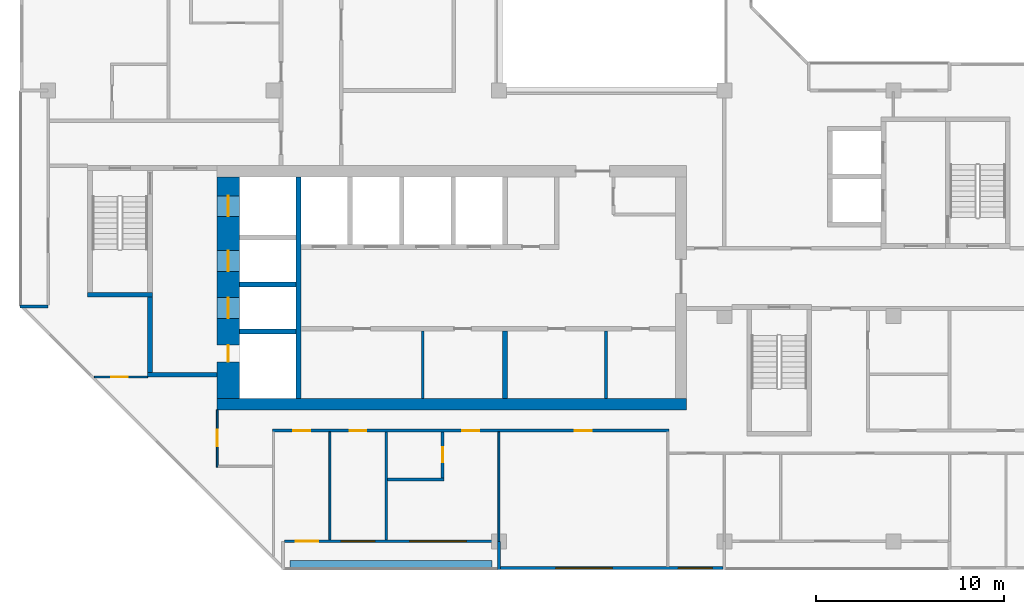
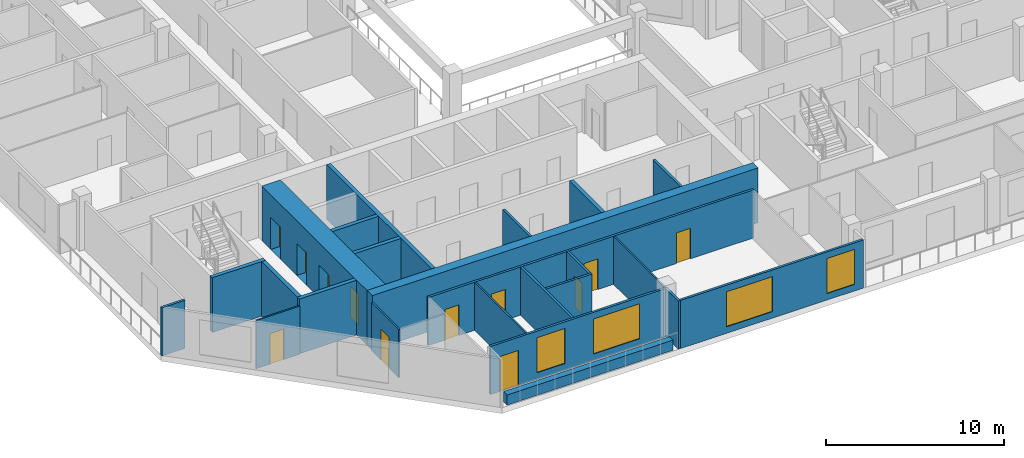
# One storey, part 4 of 13: 24 walls, 12 doors, 4 windows, 16 openings.
"""IFC4 building model written with IfcOpenShell, lengths in metres."""

import ifcopenshell
import ifcopenshell.guid

model = None  # the IFC model being written
_history = None  # IfcOwnerHistory: only IFC2X3 demands one
_inside = {}  # id of a spatial element -> (the spatial element, [elements in it])
_under = {}  # id of a project, library or spatial element -> (it, [spatial elements below it])
_declared = {}  # id of a project -> (the project, [libraries it declares])
_typed = {}  # id of a type object -> (the type object, [elements of that type])
_made_of = {}  # id of a material, layer set ... -> (it, [elements and type objects made of it])


def new_model(schema):
    """Start an empty IFC model of exactly this schema.

    Asked for "IFC4X3", IfcOpenShell would pick the latest addendum, in which some entities
    have other attributes; the version numbers below select the first issue.
    IFC2X3 requires an IfcOwnerHistory on every rooted entity: one is made here for all.
    """
    global model, _history
    if schema == "IFC4X3":
        model = ifcopenshell.file(schema_version=(4, 3, 0, 0))
    else:
        model = ifcopenshell.file(schema=schema)
    _inside.clear()
    _under.clear()
    _declared.clear()
    _typed.clear()
    _made_of.clear()
    _history = None
    if model.schema == "IFC2X3":
        org = make("IfcOrganization", Name="unknown")
        user = make(
            "IfcPersonAndOrganization",
            ThePerson=make("IfcPerson", FamilyName="unknown"),
            TheOrganization=org,
        )
        app = make(
            "IfcApplication",
            ApplicationDeveloper=org,
            Version="unknown",
            ApplicationFullName="unknown",
            ApplicationIdentifier="unknown",
        )
        _history = make(
            "IfcOwnerHistory",
            OwningUser=user,
            OwningApplication=app,
            ChangeAction="ADDED",
            CreationDate=0,
        )
    return model


def make(cls, **values):
    """One entity of the class cls with the attributes given. An attribute that is None is left unset."""
    return model.create_entity(
        cls, **{name: value for name, value in values.items() if value is not None}
    )


def rooted(cls, **values):
    """An entity with a GlobalId (a new one), such as an element, a storey or a relation."""
    return make(cls, GlobalId=ifcopenshell.guid.new(), OwnerHistory=_history, **values)


def si_unit(unit_type, name, prefix=None):
    """IfcSIUnit, for example si_unit("LENGTHUNIT", "METRE", prefix="MILLI")."""
    return make("IfcSIUnit", UnitType=unit_type, Prefix=prefix, Name=name)


def assignment(units):
    """IfcUnitAssignment: the units of a project."""
    return None if units is None else make("IfcUnitAssignment", Units=units)


def point(xyz):
    """IfcCartesianPoint."""
    return None if xyz is None else make("IfcCartesianPoint", Coordinates=xyz)


def direction(xyz):
    """IfcDirection."""
    return None if xyz is None else make("IfcDirection", DirectionRatios=xyz)


def frame(location, z_axis=None, x_axis=None):
    """IfcAxis2Placement3D, a coordinate frame: its origin and axes. An axis left out is left unset."""
    return make(
        "IfcAxis2Placement3D",
        Location=point(location),
        Axis=direction(z_axis),
        RefDirection=direction(x_axis),
    )


def frame_2d(location, x_axis=None):
    """IfcAxis2Placement2D, a coordinate frame in the plane: its origin and x axis."""
    return make(
        "IfcAxis2Placement2D", Location=point(location), RefDirection=direction(x_axis)
    )


def origin():
    """The frame at (0, 0, 0) with its axes left unset."""
    return frame((0.0, 0.0, 0.0))


def place(relative_to, where):
    """IfcLocalPlacement: puts the frame where relative to a parent placement (None: the world)."""
    return make(
        "IfcLocalPlacement", PlacementRelTo=relative_to, RelativePlacement=where
    )


def context(
    kind, dimensions, precision=None, world=None, true_north=None, identifier=None
):
    """IfcGeometricRepresentationContext, for example the 3D "Model" context."""
    return make(
        "IfcGeometricRepresentationContext",
        ContextIdentifier=identifier,
        ContextType=kind,
        CoordinateSpaceDimension=dimensions,
        Precision=precision,
        WorldCoordinateSystem=world,
        TrueNorth=true_north,
    )


def subcontext(parent, identifier, kind, view, scale=None):
    """IfcGeometricRepresentationSubContext, for example "Body" below "Model"."""
    return make(
        "IfcGeometricRepresentationSubContext",
        ContextIdentifier=identifier,
        ContextType=kind,
        ParentContext=parent,
        TargetScale=scale,
        TargetView=view,
    )


def project(units=None, contexts=None):
    """IfcProject with its units and contexts."""
    return rooted(
        "IfcProject",
        Name="project",
        RepresentationContexts=contexts,
        UnitsInContext=assignment(units),
    )


def spatial(cls, under=None, at=None, **own):
    """A site, building, storey or space (cls), placed at a placement, below another one or the project."""
    s = rooted(cls, ObjectPlacement=at, **own)
    if under is not None:
        _under.setdefault(under.id(), (under, []))[1].append(s)
    return s


def profile(cls, at=None, kind="AREA", **sizes):
    """A parametric profile (cls). Its sizes go by their IFC names, for example OverallWidth=200.0."""
    return make(cls, ProfileType=kind, Position=at, **sizes)


def rectangle(**sizes):
    """IfcRectangleProfileDef."""
    return profile("IfcRectangleProfileDef", **sizes)


def extrude(swept, where, along, depth):
    """IfcExtrudedAreaSolid: the profile swept, set in the frame where, extruded along a direction by depth."""
    return make(
        "IfcExtrudedAreaSolid",
        SweptArea=swept,
        Position=where,
        ExtrudedDirection=direction(along),
        Depth=depth,
    )


def shape(context_of_items, identifier, shape_type, items):
    """IfcShapeRepresentation: the items that make up one representation, for example the "Body"."""
    return make(
        "IfcShapeRepresentation",
        ContextOfItems=context_of_items,
        RepresentationIdentifier=identifier,
        RepresentationType=shape_type,
        Items=items,
    )


def material(Name=None, Category=None):
    """IfcMaterial."""
    return make("IfcMaterial", Name=Name, Category=Category)


def layer(
    of_material, thickness, ventilated=None, Name=None, Category=None, Priority=None
):
    """IfcMaterialLayer: one layer of a wall or slab, of a material (None: an air gap)."""
    return make(
        "IfcMaterialLayer",
        Material=of_material,
        LayerThickness=thickness,
        IsVentilated=ventilated,
        Name=Name,
        Category=Category,
        Priority=Priority,
    )


def layer_set(layers, Name=None):
    """IfcMaterialLayerSet."""
    return make("IfcMaterialLayerSet", MaterialLayers=layers, LayerSetName=Name)


def made_of(thing, what):
    """Note that an element or type object is made of a material, layer set ...; save() writes the relation."""
    if what is not None:
        _made_of.setdefault(what.id(), (what, []))[1].append(thing)
    return thing


def type_object(cls, material=None, **own):
    """A type object (cls), such as IfcWallType, which elements share."""
    return made_of(rooted(cls, **own), material)


def element(
    cls,
    number,
    at=None,
    inside=None,
    cuts=None,
    type_object=None,
    material=None,
    context=None,
    identifier="Body",
    shape_type=None,
    held_by="IfcProductDefinitionShape",
    body=None,
    shapes=None,
    **own,
):
    """One element of the class cls, such as IfcWall. Its Tag is "e" and its number.

    at: its placement. inside: the storey or other place that contains it. cuts: it is an
    opening in that element (IfcRelVoidsElement). A single representation is given by context,
    identifier, shape_type and body (its items); several are given by shapes. held_by: the class
    of the entity that holds the representations. save() writes the other relations.
    """
    e = rooted(cls, Tag="e%d" % number, ObjectPlacement=at, **own)
    if body is not None:
        shapes = [shape(context, identifier, shape_type, body)]
    if shapes is not None:
        e.Representation = make(held_by, Representations=shapes)
    if inside is not None:
        _inside.setdefault(inside.id(), (inside, []))[1].append(e)
    if cuts is not None:
        rooted(
            "IfcRelVoidsElement", RelatingBuildingElement=cuts, RelatedOpeningElement=e
        )
    if type_object is not None:
        _typed.setdefault(type_object.id(), (type_object, []))[1].append(e)
    return made_of(e, material)


def fill(opening, filler):
    """IfcRelFillsElement: the door or window that sits in an opening."""
    return rooted(
        "IfcRelFillsElement",
        RelatingOpeningElement=opening,
        RelatedBuildingElement=filler,
    )


def aggregate(whole, parts):
    """IfcRelAggregates: a whole, such as a stair, and the parts it consists of."""
    return rooted("IfcRelAggregates", RelatingObject=whole, RelatedObjects=parts)


def save(model, path):
    """Write the relations noted so far, then the file.

    IfcRelAggregates (storeys below a building ...), IfcRelContainedInSpatialStructure (elements
    in a storey), IfcRelDefinesByType, IfcRelAssociatesMaterial and IfcRelDeclares: one each for
    every whole, place, type object, material and project.
    """
    for whole, parts in _under.values():
        aggregate(whole, parts)
    for where, things in _inside.values():
        rooted(
            "IfcRelContainedInSpatialStructure",
            RelatedElements=things,
            RelatingStructure=where,
        )
    for kind, things in _typed.values():
        rooted("IfcRelDefinesByType", RelatedObjects=things, RelatingType=kind)
    for what, things in _made_of.values():
        rooted("IfcRelAssociatesMaterial", RelatedObjects=things, RelatingMaterial=what)
    for by, libraries in _declared.values():
        rooted("IfcRelDeclares", RelatingContext=by, RelatedDefinitions=libraries)
    model.write(path)


model = new_model("IFC4")

# Units and contexts
model_context = context("Model", 3, precision=1e-05, world=origin(), true_north=direction((0.0, 1.0)))
body_context = subcontext(model_context, "Body", "Model", "MODEL_VIEW")
ifc_project = project(units=[si_unit("LENGTHUNIT", "METRE"), si_unit("AREAUNIT", "SQUARE_METRE"), si_unit("VOLUMEUNIT", "CUBIC_METRE"), si_unit("PLANEANGLEUNIT", "RADIAN"), si_unit("MASSUNIT", "GRAM", prefix="KILO")], contexts=[model_context])

# Site, building, storey
site_placement = place(None, origin())
site = spatial("IfcSite", under=ifc_project, at=site_placement, CompositionType="ELEMENT")
building_placement = place(site_placement, origin())
building = spatial("IfcBuilding", under=site, at=building_placement, Name="Chenar Terraces", CompositionType="ELEMENT")
storey_placement = place(building_placement, frame((0.0, 0.0, 318.39990234375)))
storey = spatial("IfcBuildingStorey", under=building, at=storey_placement, Name="L75", CompositionType="ELEMENT", Elevation=318.39990234375)

# Walls
ifc_material_1 = material(Name="Gypsum board on steel studs", Category="steel")
ifc_layer_1 = layer(ifc_material_1, 0.14990234375)
ifc_layer_set_1 = layer_set([ifc_layer_1], Name="Gypsum board on steel studs")
wall_type_1 = type_object("IfcWallType", Name="Core partition 150 gypsum board", PredefinedType="PARTITIONING", material=ifc_layer_set_1)
for number, where, z_axis, x_axis, name in (
    (1, (19.949951171875, 7.60009765625, 0.0), (0.0, 0.0, 1.0), (0.0, 1.0, 0.0), "Core partition CP1 freed bay wall"),
    (2, (29.699951171875, 7.60009765625, 0.0), (0.0, 0.0, 1.0), (0.0, 1.0, 0.0), "Core partition CP1 freed bay wall"),
):
    element("IfcWall", number, at=place(storey_placement, frame(where, z_axis=z_axis, x_axis=x_axis)), inside=storey, type_object=wall_type_1, Name=name, PredefinedType="PARTITIONING", context=body_context, shape_type="SweptSolid", body=[
        extrude(rectangle(XDim=3.599853515625, YDim=0.14990234375, at=frame_2d((1.7998046875, 0.0))), origin(), (0.0, 0.0, 1.0), 3.300048828125),
    ])

# Wall, openings, doors
ifc_material_2 = material(Name="Concrete C50/60", Category="concrete")
ifc_layer_2 = layer(ifc_material_2, 1.199951171875)
ifc_layer_set_2 = layer_set([ifc_layer_2], Name="Concrete C50/60")
wall_type_2 = type_object("IfcWallType", Name="Core wall 1200 Concrete C50/60", PredefinedType="SHEAR", material=ifc_layer_set_2)
wall_1_placement = place(storey_placement, frame((9.60009765625, 7.60009765625, 0.0), z_axis=(0.0, 0.0, 1.0), x_axis=(0.0, 1.0, 0.0)))
wall_1 = element("IfcWall", 3, at=wall_1_placement, inside=storey, type_object=wall_type_2, Name="Core wall W L75", PredefinedType="SHEAR", context=body_context, shape_type="SweptSolid", body=[
    extrude(rectangle(XDim=11.7998046875, YDim=1.199951171875, at=frame_2d((5.89990234375, 0.0))), origin(), (0.0, 0.0, 1.0), 3.75),
])
opening_1_placement = place(wall_1_placement, frame((4.27490234375, 0.0, 0.0)))
opening_1 = element("IfcOpeningElement", 4, at=opening_1_placement, cuts=wall_1, Name="Opening DL75-LD5", PredefinedType="OPENING", context=body_context, shape_type="SweptSolid", body=[
    extrude(rectangle(XDim=1.10009765625, YDim=2.199951171875, at=frame_2d((0.550048828125, 1.10009765625))), frame((0.0, 0.60986328125, 0.0), z_axis=(0.0, -1.0, 0.0), x_axis=(1.0, 0.0, 0.0)), (0.0, 0.0, 1.0), 1.219970703125),
])
opening_2_placement = place(wall_1_placement, frame((6.77490234375, 0.0, 0.0)))
opening_2 = element("IfcOpeningElement", 5, at=opening_2_placement, cuts=wall_1, Name="Opening DL75-LD6", PredefinedType="OPENING", context=body_context, shape_type="SweptSolid", body=[
    extrude(rectangle(XDim=1.10009765625, YDim=2.199951171875, at=frame_2d((0.550048828125, 1.10009765625))), frame((0.0, 0.60986328125, 0.0), z_axis=(0.0, -1.0, 0.0), x_axis=(1.0, 0.0, 0.0)), (0.0, 0.0, 1.0), 1.219970703125),
])
opening_3_placement = place(wall_1_placement, frame((9.699951171875, 0.0, 0.0)))
opening_3 = element("IfcOpeningElement", 6, at=opening_3_placement, cuts=wall_1, Name="Opening DL75-LD7", PredefinedType="OPENING", context=body_context, shape_type="SweptSolid", body=[
    extrude(rectangle(XDim=1.10009765625, YDim=2.199951171875, at=frame_2d((0.550048828125, 1.10009765625))), frame((0.0, 0.60986328125, 0.0), z_axis=(0.0, -1.0, 0.0), x_axis=(1.0, 0.0, 0.0)), (0.0, 0.0, 1.0), 1.219970703125),
])
opening_4_placement = place(wall_1_placement, frame((1.949951171875, 0.0, 0.0)))
opening_4 = element("IfcOpeningElement", 7, at=opening_4_placement, cuts=wall_1, Name="Opening DL75-C4", PredefinedType="OPENING", context=body_context, shape_type="SweptSolid", body=[
    extrude(rectangle(XDim=0.89990234375, YDim=2.10009765625, at=frame_2d((0.449951171875, 1.050048828125))), frame((0.0, 0.60986328125, 0.0), z_axis=(0.0, -1.0, 0.0), x_axis=(1.0, 0.0, 0.0)), (0.0, 0.0, 1.0), 1.219970703125),
])
ifc_material_3 = material(Name="Stainless steel", Category="steel")
door_type_1 = type_object("IfcDoorType", Name="Lift landing door 1100 x 2200 sliding", OperationType="DOUBLE_DOOR_SLIDING", PredefinedType="DOOR", material=ifc_material_3)
door_1_placement = place(opening_1_placement, origin())
door_1 = element("IfcDoor", 8, at=door_1_placement, inside=storey, type_object=door_type_1, Name="Landing door S1", OperationType="DOUBLE_DOOR_SLIDING", OverallHeight=2.199951171875, OverallWidth=1.10009765625, PredefinedType="DOOR", context=body_context, shape_type="SweptSolid", body=[
    extrude(rectangle(XDim=1.10009765625, YDim=2.199951171875, at=frame_2d((0.550048828125, 1.10009765625))), frame((0.0, 0.02490234375, 0.0), z_axis=(0.0, -1.0, 0.0), x_axis=(1.0, 0.0, 0.0)), (0.0, 0.0, 1.0), 0.050048828125),
])
fill(opening_1, door_1)
door_2_placement = place(opening_2_placement, origin())
door_2 = element("IfcDoor", 9, at=door_2_placement, inside=storey, type_object=door_type_1, Name="Landing door F1", OperationType="DOUBLE_DOOR_SLIDING", OverallHeight=2.199951171875, OverallWidth=1.10009765625, PredefinedType="DOOR", context=body_context, shape_type="SweptSolid", body=[
    extrude(rectangle(XDim=1.10009765625, YDim=2.199951171875, at=frame_2d((0.550048828125, 1.10009765625))), frame((0.0, 0.02490234375, 0.0), z_axis=(0.0, -1.0, 0.0), x_axis=(1.0, 0.0, 0.0)), (0.0, 0.0, 1.0), 0.050048828125),
])
fill(opening_2, door_2)
door_3_placement = place(opening_3_placement, origin())
door_3 = element("IfcDoor", 10, at=door_3_placement, inside=storey, type_object=door_type_1, Name="Landing door F2", OperationType="DOUBLE_DOOR_SLIDING", OverallHeight=2.199951171875, OverallWidth=1.10009765625, PredefinedType="DOOR", context=body_context, shape_type="SweptSolid", body=[
    extrude(rectangle(XDim=1.10009765625, YDim=2.199951171875, at=frame_2d((0.550048828125, 1.10009765625))), frame((0.0, 0.02490234375, 0.0), z_axis=(0.0, -1.0, 0.0), x_axis=(1.0, 0.0, 0.0)), (0.0, 0.0, 1.0), 0.050048828125),
])
fill(opening_3, door_3)
ifc_material_4 = material(Name="Steel-framed fire-resisting door leaf", Category="steel")
door_type_2 = type_object("IfcDoorType", Name="Riser fire door FD60 900 x 2100", OperationType="SINGLE_SWING_LEFT", PredefinedType="DOOR", material=ifc_material_4)
door_4_placement = place(opening_4_placement, frame((0.89990234375, 0.0, 0.0), z_axis=(0.0, 0.0, 1.0), x_axis=(-1.0, 0.0, 0.0)))
door_4 = element("IfcDoor", 11, at=door_4_placement, inside=storey, type_object=door_type_2, Name="Riser door DL75-C4", OperationType="SINGLE_SWING_LEFT", OverallHeight=2.10009765625, OverallWidth=0.89990234375, PredefinedType="DOOR", context=body_context, shape_type="SweptSolid", body=[
    extrude(rectangle(XDim=0.89990234375, YDim=2.10009765625, at=frame_2d((0.449951171875, 1.050048828125))), frame((0.0, 0.02490234375, 0.0), z_axis=(0.0, -1.0, 0.0), x_axis=(1.0, 0.0, 0.0)), (0.0, 0.0, 1.0), 0.050048828125),
])
fill(opening_4, door_4)

# Walls
ifc_material_5 = material(Name="Concrete C50/60", Category="concrete")
ifc_layer_3 = layer(ifc_material_5, 0.25)
ifc_layer_set_3 = layer_set([ifc_layer_3], Name="Concrete C50/60")
wall_type_3 = type_object("IfcWallType", Name="Core wall 250 Concrete C50/60", PredefinedType="SHEAR", material=ifc_layer_set_3)
wall_2_placement = place(storey_placement, frame((13.324951171875, 7.60009765625, 0.0), z_axis=(0.0, 0.0, 1.0), x_axis=(0.0, 1.0, 0.0)))
element("IfcWall", 12, at=wall_2_placement, inside=storey, type_object=wall_type_3, Name="Core wall WI L75", PredefinedType="SHEAR", context=body_context, shape_type="SweptSolid", body=[
    extrude(rectangle(XDim=11.7998046875, YDim=0.25, at=frame_2d((5.89990234375, 0.0))), origin(), (0.0, 0.0, 1.0), 3.75),
])
for number, where, z_axis, x_axis, name in (
    (13, (10.199951171875, 11.175048828125, 0.0), (0.0, 0.0, 1.0), (1.0, 0.0, 0.0), "Core wall HW0 L75"),
    (14, (10.199951171875, 13.675048828125, 0.0), (0.0, 0.0, 1.0), (1.0, 0.0, 0.0), "Core wall HW1 L75"),
):
    element("IfcWall", number, at=place(storey_placement, frame(where, z_axis=z_axis, x_axis=x_axis)), inside=storey, type_object=wall_type_3, Name=name, PredefinedType="SHEAR", context=body_context, shape_type="SweptSolid", body=[
        extrude(rectangle(XDim=3.0, YDim=0.25, at=frame_2d((1.5, 0.0))), origin(), (0.0, 0.0, 1.0), 3.75),
    ])
wall_3_placement = place(storey_placement, frame((24.324951171875, 7.60009765625, 0.0), z_axis=(0.0, 0.0, 1.0), x_axis=(0.0, 1.0, 0.0)))
element("IfcWall", 15, at=wall_3_placement, inside=storey, type_object=wall_type_3, Name="Core wall SS3 L75", PredefinedType="SHEAR", context=body_context, shape_type="SweptSolid", body=[
    extrude(rectangle(XDim=3.599853515625, YDim=0.25, at=frame_2d((1.7998046875, 0.0))), origin(), (0.0, 0.0, 1.0), 3.75),
])
wall_4_placement = place(storey_placement, frame((2.10009765625, 13.125, 0.0), z_axis=(0.0, 0.0, 1.0), x_axis=(1.0, 0.0, 0.0)))
element("IfcWall", 16, at=wall_4_placement, inside=storey, type_object=wall_type_3, Name="Core wall ST1_S L75", PredefinedType="SHEAR", context=body_context, shape_type="SweptSolid", body=[
    extrude(rectangle(XDim=3.449951171875, YDim=0.25, at=frame_2d((1.72509765625, 0.0))), origin(), (0.0, 0.0, 1.0), 3.75),
])
wall_5_placement = place(storey_placement, frame((5.300048828125, 8.875, 0.0), z_axis=(0.0, 0.0, 1.0), x_axis=(1.0, 0.0, 0.0)))
element("IfcWall", 17, at=wall_5_placement, inside=storey, type_object=wall_type_3, Name="Core wall FFL_S L75", PredefinedType="SHEAR", context=body_context, shape_type="SweptSolid", body=[
    extrude(rectangle(XDim=3.699951171875, YDim=0.25, at=frame_2d((1.85009765625, 0.0))), origin(), (0.0, 0.0, 1.0), 3.75),
])
wall_6_placement = place(storey_placement, frame((5.425048828125, 9.0, 0.0), z_axis=(0.0, 0.0, 1.0), x_axis=(0.0, 1.0, 0.0)))
element("IfcWall", 18, at=wall_6_placement, inside=storey, type_object=wall_type_3, Name="Core wall FFL_W L75", PredefinedType="SHEAR", context=body_context, shape_type="SweptSolid", body=[
    extrude(rectangle(XDim=4.0, YDim=0.25, at=frame_2d((2.0, 0.0))), origin(), (0.0, 0.0, 1.0), 3.75),
])
ifc_material_6 = material(Name="Concrete C50/60", Category="concrete")
ifc_layer_4 = layer(ifc_material_6, 0.60009765625)
ifc_layer_set_4 = layer_set([ifc_layer_4], Name="Concrete C50/60")
wall_type_4 = type_object("IfcWallType", Name="Core wall 600 Concrete C50/60", PredefinedType="SHEAR", material=ifc_layer_set_4)
wall_7_placement = place(storey_placement, frame((9.0, 7.300048828125, 0.0), z_axis=(0.0, 0.0, 1.0), x_axis=(1.0, 0.0, 0.0)))
element("IfcWall", 19, at=wall_7_placement, inside=storey, type_object=wall_type_4, Name="Core wall S L75", PredefinedType="SHEAR", context=body_context, shape_type="SweptSolid", body=[
    extrude(rectangle(XDim=25.0, YDim=0.60009765625, at=frame_2d((12.5, 0.0))), origin(), (0.0, 0.0, 1.0), 3.75),
])

# Wall, openings, windows
ifc_material_7 = material(Name="Aluminium framed glazing", Category="aluminium")
ifc_layer_5 = layer(ifc_material_7, 0.14990234375)
ifc_layer_set_5 = layer_set([ifc_layer_5], Name="Aluminium framed glazing")
wall_type_5 = type_object("IfcWallType", Name="Glazed flush facade wall 150", PredefinedType="SOLIDWALL", material=ifc_layer_set_5)
wall_8_placement = place(storey_placement, frame((24.074951171875, -1.425048828125, 0.0), z_axis=(0.0, 0.0, 1.0), x_axis=(1.0, 0.0, 0.0)))
wall_8 = element("IfcWall", 20, at=wall_8_placement, inside=storey, type_object=wall_type_5, Name="Glazed flush facade wall", PredefinedType="SOLIDWALL", context=body_context, shape_type="SweptSolid", body=[
    extrude(rectangle(XDim=11.85009765625, YDim=0.14990234375, at=frame_2d((5.925048828125, 0.0))), origin(), (0.0, 0.0, 1.0), 3.300048828125),
])
opening_5_placement = place(wall_8_placement, frame((2.96240234375, 0.0, 0.449951171875)))
opening_5 = element("IfcOpeningElement", 21, at=opening_5_placement, cuts=wall_8, Name="Opening W300x240", PredefinedType="OPENING", context=body_context, shape_type="SweptSolid", body=[
    extrude(rectangle(XDim=3.0, YDim=2.39990234375, at=frame_2d((1.5, 1.199951171875))), frame((0.0, 0.0849609375, 0.0), z_axis=(0.0, -1.0, 0.0), x_axis=(1.0, 0.0, 0.0)), (0.0, 0.0, 1.0), 0.169921875),
])
opening_6_placement = place(wall_8_placement, frame((9.487548828125, 0.0, 0.449951171875)))
opening_6 = element("IfcOpeningElement", 22, at=opening_6_placement, cuts=wall_8, Name="Opening W180x240", PredefinedType="OPENING", context=body_context, shape_type="SweptSolid", body=[
    extrude(rectangle(XDim=1.800048828125, YDim=2.39990234375, at=frame_2d((0.89990234375, 1.199951171875))), frame((0.0, 0.0849609375, 0.0), z_axis=(0.0, -1.0, 0.0), x_axis=(1.0, 0.0, 0.0)), (0.0, 0.0, 1.0), 0.169921875),
])
ifc_material_8 = material(Name="Low emissivity double glazing, aluminium frame", Category="aluminium")
window_type_1 = type_object("IfcWindowType", Name="Fixed light 1800 x 2400", PartitioningType="SINGLE_PANEL", PredefinedType="WINDOW", material=ifc_material_8)
window_1_placement = place(opening_6_placement, origin())
window_1 = element("IfcWindow", 23, at=window_1_placement, inside=storey, type_object=window_type_1, Name="Window", OverallHeight=2.39990234375, OverallWidth=1.800048828125, PartitioningType="SINGLE_PANEL", PredefinedType="WINDOW", context=body_context, shape_type="SweptSolid", body=[
    extrude(rectangle(XDim=1.800048828125, YDim=2.39990234375, at=frame_2d((0.89990234375, 1.199951171875))), frame((0.0, 0.030029296875, 0.0), z_axis=(0.0, -1.0, 0.0), x_axis=(1.0, 0.0, 0.0)), (0.0, 0.0, 1.0), 0.06005859375),
])
fill(opening_6, window_1)
ifc_material_9 = material(Name="Low emissivity double glazing, aluminium frame", Category="aluminium")
window_type_2 = type_object("IfcWindowType", Name="Fixed light 3000 x 2400", PartitioningType="SINGLE_PANEL", PredefinedType="WINDOW", material=ifc_material_9)
window_2_placement = place(opening_5_placement, origin())
window_2 = element("IfcWindow", 24, at=window_2_placement, inside=storey, type_object=window_type_2, Name="Window", OverallHeight=2.39990234375, OverallWidth=3.0, PartitioningType="SINGLE_PANEL", PredefinedType="WINDOW", context=body_context, shape_type="SweptSolid", body=[
    extrude(rectangle(XDim=3.0, YDim=2.39990234375, at=frame_2d((1.5, 1.199951171875))), frame((0.0, 0.030029296875, 0.0), z_axis=(0.0, -1.0, 0.0), x_axis=(1.0, 0.0, 0.0)), (0.0, 0.0, 1.0), 0.06005859375),
])
fill(opening_5, window_2)

# Wall, openings, windows, door
ifc_material_10 = material(Name="Aluminium framed glazing", Category="aluminium")
ifc_layer_6 = layer(ifc_material_10, 0.14990234375)
ifc_layer_set_6 = layer_set([ifc_layer_6], Name="Aluminium framed glazing")
wall_type_6 = type_object("IfcWallType", Name="Glazed loggia back wall 150", PredefinedType="SOLIDWALL", material=ifc_layer_set_6)
wall_9_placement = place(storey_placement, frame((12.574951171875, 0.0, 0.0), z_axis=(0.0, 0.0, 1.0), x_axis=(1.0, 0.0, 0.0)))
wall_9 = element("IfcWall", 25, at=wall_9_placement, inside=storey, type_object=wall_type_6, Name="Glazed loggia back wall", PredefinedType="SOLIDWALL", context=body_context, shape_type="SweptSolid", body=[
    extrude(rectangle(XDim=11.35009765625, YDim=0.14990234375, at=frame_2d((5.675048828125, 0.0))), origin(), (0.0, 0.0, 1.0), 3.300048828125),
])
opening_7_placement = place(wall_9_placement, frame((0.612548828125, 0.0, 0.0)))
opening_7 = element("IfcOpeningElement", 26, at=opening_7_placement, cuts=wall_9, Name="Opening DL75-G4", PredefinedType="OPENING", context=body_context, shape_type="SweptSolid", body=[
    extrude(rectangle(XDim=1.199951171875, YDim=2.39990234375, at=frame_2d((0.60009765625, 1.199951171875))), frame((0.0, 0.0849609375, 0.0), z_axis=(0.0, -1.0, 0.0), x_axis=(1.0, 0.0, 0.0)), (0.0, 0.0, 1.0), 0.169921875),
])
opening_8_placement = place(wall_9_placement, frame((3.02490234375, 0.0, 0.449951171875)))
opening_8 = element("IfcOpeningElement", 27, at=opening_8_placement, cuts=wall_9, Name="Opening W180x240", PredefinedType="OPENING", context=body_context, shape_type="SweptSolid", body=[
    extrude(rectangle(XDim=1.800048828125, YDim=2.39990234375, at=frame_2d((0.89990234375, 1.199951171875))), frame((0.0, 0.0849609375, 0.0), z_axis=(0.0, -1.0, 0.0), x_axis=(1.0, 0.0, 0.0)), (0.0, 0.0, 1.0), 0.169921875),
])
opening_9_placement = place(wall_9_placement, frame((6.675048828125, 0.0, 0.449951171875)))
opening_9 = element("IfcOpeningElement", 28, at=opening_9_placement, cuts=wall_9, Name="Opening W300x240", PredefinedType="OPENING", context=body_context, shape_type="SweptSolid", body=[
    extrude(rectangle(XDim=3.0, YDim=2.39990234375, at=frame_2d((1.5, 1.199951171875))), frame((0.0, 0.0849609375, 0.0), z_axis=(0.0, -1.0, 0.0), x_axis=(1.0, 0.0, 0.0)), (0.0, 0.0, 1.0), 0.169921875),
])
window_3_placement = place(opening_8_placement, origin())
window_3 = element("IfcWindow", 29, at=window_3_placement, inside=storey, type_object=window_type_1, Name="Window", OverallHeight=2.39990234375, OverallWidth=1.800048828125, PartitioningType="SINGLE_PANEL", PredefinedType="WINDOW", context=body_context, shape_type="SweptSolid", body=[
    extrude(rectangle(XDim=1.800048828125, YDim=2.39990234375, at=frame_2d((0.89990234375, 1.199951171875))), frame((0.0, 0.030029296875, 0.0), z_axis=(0.0, -1.0, 0.0), x_axis=(1.0, 0.0, 0.0)), (0.0, 0.0, 1.0), 0.06005859375),
])
fill(opening_8, window_3)
window_4_placement = place(opening_9_placement, origin())
window_4 = element("IfcWindow", 30, at=window_4_placement, inside=storey, type_object=window_type_2, Name="Window", OverallHeight=2.39990234375, OverallWidth=3.0, PartitioningType="SINGLE_PANEL", PredefinedType="WINDOW", context=body_context, shape_type="SweptSolid", body=[
    extrude(rectangle(XDim=3.0, YDim=2.39990234375, at=frame_2d((1.5, 1.199951171875))), frame((0.0, 0.030029296875, 0.0), z_axis=(0.0, -1.0, 0.0), x_axis=(1.0, 0.0, 0.0)), (0.0, 0.0, 1.0), 0.06005859375),
])
fill(opening_9, window_4)
ifc_material_11 = material(Name="Low emissivity double glazing, aluminium frame", Category="aluminium")
door_type_3 = type_object("IfcDoorType", Name="Loggia glazed double door 1200 x 2400", OperationType="DOUBLE_DOOR_SINGLE_SWING", PredefinedType="DOOR", material=ifc_material_11)
door_5_placement = place(opening_7_placement, frame((1.199951171875, 0.0, 0.0), z_axis=(0.0, 0.0, 1.0), x_axis=(-1.0, 0.0, 0.0)))
door_5 = element("IfcDoor", 31, at=door_5_placement, inside=storey, type_object=door_type_3, Name="Loggia glazed door", OperationType="DOUBLE_DOOR_SINGLE_SWING", OverallHeight=2.39990234375, OverallWidth=1.199951171875, PredefinedType="DOOR", context=body_context, shape_type="SweptSolid", body=[
    extrude(rectangle(XDim=1.199951171875, YDim=2.39990234375, at=frame_2d((0.60009765625, 1.199951171875))), frame((0.0, 0.02490234375, 0.0), z_axis=(0.0, -1.0, 0.0), x_axis=(1.0, 0.0, 0.0)), (0.0, 0.0, 1.0), 0.050048828125),
])
fill(opening_7, door_5)

# Wall, opening, door
ifc_material_12 = material(Name="Gypsum board on steel studs", Category="steel")
ifc_layer_7 = layer(ifc_material_12, 0.10009765625)
ifc_layer_set_7 = layer_set([ifc_layer_7], Name="Gypsum board on steel studs")
wall_type_7 = type_object("IfcWallType", Name="Gypsum partition 100", PredefinedType="PARTITIONING", material=ifc_layer_set_7)
wall_10_placement = place(storey_placement, frame((2.4609375, 8.75, 0.0), z_axis=(0.0, 0.0, 1.0), x_axis=(1.0, 0.0, 0.0)))
wall_10 = element("IfcWall", 32, at=wall_10_placement, inside=storey, type_object=wall_type_7, Name="Partition L75-010", PredefinedType="PARTITIONING", context=body_context, shape_type="SweptSolid", body=[
    extrude(rectangle(XDim=2.839111328125, YDim=0.10009765625, at=frame_2d((1.41943359375, 0.0))), origin(), (0.0, 0.0, 1.0), 3.300048828125),
])
opening_10_placement = place(wall_10_placement, frame((0.888916015625, 0.0, 0.0)))
opening_10 = element("IfcOpeningElement", 33, at=opening_10_placement, cuts=wall_10, Name="Opening DL75-42", PredefinedType="OPENING", context=body_context, shape_type="SweptSolid", body=[
    extrude(rectangle(XDim=0.89990234375, YDim=2.10009765625, at=frame_2d((0.449951171875, 1.050048828125))), frame((0.0, 0.06005859375, 0.0), z_axis=(0.0, -1.0, 0.0), x_axis=(1.0, 0.0, 0.0)), (0.0, 0.0, 1.0), 0.1201171875),
])
ifc_material_13 = material(Name="Veneered timber door leaf", Category="wood")
door_type_4 = type_object("IfcDoorType", Name="Door 900 x 2100", OperationType="SINGLE_SWING_LEFT", PredefinedType="DOOR", material=ifc_material_13)
door_6_placement = place(opening_10_placement, frame((0.89990234375, 0.0, 0.0), z_axis=(0.0, 0.0, 1.0), x_axis=(-1.0, 0.0, 0.0)))
door_6 = element("IfcDoor", 34, at=door_6_placement, inside=storey, type_object=door_type_4, Name="Door DL75-42", OperationType="SINGLE_SWING_RIGHT", OverallHeight=2.10009765625, OverallWidth=0.89990234375, PredefinedType="DOOR", context=body_context, shape_type="SweptSolid", body=[
    extrude(rectangle(XDim=0.89990234375, YDim=2.10009765625, at=frame_2d((0.449951171875, 1.050048828125))), frame((0.0, 0.02490234375, 0.0), z_axis=(0.0, -1.0, 0.0), x_axis=(1.0, 0.0, 0.0)), (0.0, 0.0, 1.0), 0.050048828125),
])
fill(opening_10, door_6)

wall_11_placement = place(storey_placement, frame((9.0, 3.949951171875, 0.0), z_axis=(0.0, 0.0, 1.0), x_axis=(0.0, 1.0, 0.0)))
wall_11 = element("IfcWall", 35, at=wall_11_placement, inside=storey, type_object=wall_type_7, Name="Partition L75-030", PredefinedType="PARTITIONING", context=body_context, shape_type="SweptSolid", body=[
    extrude(rectangle(XDim=3.050048828125, YDim=0.10009765625, at=frame_2d((1.52490234375, 0.0))), origin(), (0.0, 0.0, 1.0), 3.300048828125),
])
opening_11_placement = place(wall_11_placement, frame((1.10009765625, 0.0, 0.0)))
opening_11 = element("IfcOpeningElement", 36, at=opening_11_placement, cuts=wall_11, Name="Opening DL75-41", PredefinedType="OPENING", context=body_context, shape_type="SweptSolid", body=[
    extrude(rectangle(XDim=0.89990234375, YDim=2.10009765625, at=frame_2d((0.449951171875, 1.050048828125))), frame((0.0, 0.06005859375, 0.0), z_axis=(0.0, -1.0, 0.0), x_axis=(1.0, 0.0, 0.0)), (0.0, 0.0, 1.0), 0.1201171875),
])
door_7_placement = place(opening_11_placement, origin())
door_7 = element("IfcDoor", 37, at=door_7_placement, inside=storey, type_object=door_type_4, Name="Door DL75-41", OperationType="SINGLE_SWING_LEFT", OverallHeight=2.10009765625, OverallWidth=0.89990234375, PredefinedType="DOOR", context=body_context, shape_type="SweptSolid", body=[
    extrude(rectangle(XDim=0.89990234375, YDim=2.10009765625, at=frame_2d((0.449951171875, 1.050048828125))), frame((0.0, 0.02490234375, 0.0), z_axis=(0.0, -1.0, 0.0), x_axis=(1.0, 0.0, 0.0)), (0.0, 0.0, 1.0), 0.050048828125),
])
fill(opening_11, door_7)

# Walls
wall_12_placement = place(storey_placement, frame((15.0, 0.073974609375, 0.0), z_axis=(0.0, 0.0, 1.0), x_axis=(0.0, 1.0, 0.0)))
element("IfcWall", 38, at=wall_12_placement, inside=storey, type_object=wall_type_7, Name="Partition L75-035", PredefinedType="PARTITIONING", context=body_context, shape_type="SweptSolid", body=[
    extrude(rectangle(XDim=5.7509765625, YDim=0.10009765625, at=frame_2d((2.87548828125, 0.0))), origin(), (0.0, 0.0, 1.0), 3.300048828125),
])
wall_13_placement = place(storey_placement, frame((24.0, 0.0, 0.0), z_axis=(0.0, 0.0, 1.0), x_axis=(0.0, 1.0, 0.0)))
element("IfcWall", 39, at=wall_13_placement, inside=storey, type_object=wall_type_7, Name="Partition L75-052", PredefinedType="PARTITIONING", context=body_context, shape_type="SweptSolid", body=[
    extrude(rectangle(XDim=5.824951171875, YDim=0.10009765625, at=frame_2d((2.91259765625, 0.0))), origin(), (0.0, 0.0, 1.0), 3.300048828125),
])
ifc_material_14 = material(Name="Terracotta cladding on insulated backing", Category="masonry")
ifc_layer_8 = layer(ifc_material_14, 0.14990234375)
ifc_layer_set_8 = layer_set([ifc_layer_8], Name="Terracotta cladding on insulated backing")
wall_type_8 = type_object("IfcWallType", Name="Loggia return wall 150", PredefinedType="SOLIDWALL", material=ifc_layer_set_8)
for number, where, z_axis, x_axis, name in (
    (40, (-1.5, 12.5, 0.0), (0.0, 0.0, 1.0), (1.0, 0.0, 0.0), "Loggia return wall"),
    (41, (24.0, -1.5, 0.0), (0.0, 0.0, 1.0), (0.0, 1.0, 0.0), "Loggia return wall"),
):
    element("IfcWall", number, at=place(storey_placement, frame(where, z_axis=z_axis, x_axis=x_axis)), inside=storey, type_object=wall_type_8, Name=name, PredefinedType="SOLIDWALL", context=body_context, shape_type="SweptSolid", body=[
        extrude(rectangle(XDim=1.5, YDim=0.14990234375, at=frame_2d((0.75, 0.0))), origin(), (0.0, 0.0, 1.0), 3.300048828125),
    ])
ifc_material_15 = material(Name="GRP planter trough")
ifc_layer_9 = layer(ifc_material_15, 0.39990234375)
ifc_layer_set_9 = layer_set([ifc_layer_9], Name="GRP planter trough")
wall_type_9 = type_object("IfcWallType", Name="Vertical greenery planter 400", PredefinedType="SOLIDWALL", material=ifc_layer_set_9)
wall_14_placement = place(storey_placement, frame((12.875, -1.22900390625, 0.0), z_axis=(0.0, 0.0, 1.0), x_axis=(1.0, 0.0, 0.0)))
element("IfcWall", 42, at=wall_14_placement, inside=storey, type_object=wall_type_9, Name="Vertical greenery planter", PredefinedType="SOLIDWALL", context=body_context, shape_type="SweptSolid", body=[
    extrude(rectangle(XDim=10.75, YDim=0.39990234375, at=frame_2d((5.375, 0.0))), origin(), (0.0, 0.0, 1.0), 0.7001953125),
])

# Wall, openings, doors
ifc_material_16 = material(Name="Moisture-resistant gypsum board on steel studs", Category="steel")
ifc_layer_10 = layer(ifc_material_16, 0.14990234375)
ifc_layer_set_10 = layer_set([ifc_layer_10], Name="Moisture-resistant gypsum board on steel studs")
wall_type_10 = type_object("IfcWallType", Name="Wet-room partition 150", PredefinedType="PARTITIONING", material=ifc_layer_set_10)
wall_15_placement = place(storey_placement, frame((11.949951171875, 5.89990234375, 0.0), z_axis=(0.0, 0.0, 1.0), x_axis=(1.0, 0.0, 0.0)))
wall_15 = element("IfcWall", 43, at=wall_15_placement, inside=storey, type_object=wall_type_10, Name="Partition L75-032", PredefinedType="PARTITIONING", context=body_context, shape_type="SweptSolid", body=[
    extrude(rectangle(XDim=21.10009765625, YDim=0.14990234375, at=frame_2d((10.550048828125, 0.0))), origin(), (0.0, 0.0, 1.0), 3.300048828125),
])
opening_12_placement = place(wall_15_placement, frame((1.10009765625, 0.0, 0.0)))
opening_12 = element("IfcOpeningElement", 44, at=opening_12_placement, cuts=wall_15, Name="Opening DL75-35", PredefinedType="OPENING", context=body_context, shape_type="SweptSolid", body=[
    extrude(rectangle(XDim=0.89990234375, YDim=2.10009765625, at=frame_2d((0.449951171875, 1.050048828125))), frame((0.0, 0.0849609375, 0.0), z_axis=(0.0, -1.0, 0.0), x_axis=(1.0, 0.0, 0.0)), (0.0, 0.0, 1.0), 0.169921875),
])
opening_13_placement = place(wall_15_placement, frame((4.10009765625, 0.0, 0.0)))
opening_13 = element("IfcOpeningElement", 45, at=opening_13_placement, cuts=wall_15, Name="Opening DL75-36", PredefinedType="OPENING", context=body_context, shape_type="SweptSolid", body=[
    extrude(rectangle(XDim=0.89990234375, YDim=2.10009765625, at=frame_2d((0.449951171875, 1.050048828125))), frame((0.0, 0.0849609375, 0.0), z_axis=(0.0, -1.0, 0.0), x_axis=(1.0, 0.0, 0.0)), (0.0, 0.0, 1.0), 0.169921875),
])
opening_14_placement = place(wall_15_placement, frame((10.10009765625, 0.0, 0.0)))
opening_14 = element("IfcOpeningElement", 46, at=opening_14_placement, cuts=wall_15, Name="Opening DL75-43", PredefinedType="OPENING", context=body_context, shape_type="SweptSolid", body=[
    extrude(rectangle(XDim=0.89990234375, YDim=2.10009765625, at=frame_2d((0.449951171875, 1.050048828125))), frame((0.0, 0.0849609375, 0.0), z_axis=(0.0, -1.0, 0.0), x_axis=(1.0, 0.0, 0.0)), (0.0, 0.0, 1.0), 0.169921875),
])
opening_15_placement = place(wall_15_placement, frame((16.10009765625, 0.0, 0.0)))
opening_15 = element("IfcOpeningElement", 47, at=opening_15_placement, cuts=wall_15, Name="Opening DL75-47", PredefinedType="OPENING", context=body_context, shape_type="SweptSolid", body=[
    extrude(rectangle(XDim=0.89990234375, YDim=2.10009765625, at=frame_2d((0.449951171875, 1.050048828125))), frame((0.0, 0.0849609375, 0.0), z_axis=(0.0, -1.0, 0.0), x_axis=(1.0, 0.0, 0.0)), (0.0, 0.0, 1.0), 0.169921875),
])
door_8_placement = place(opening_12_placement, frame((0.89990234375, 0.0, 0.0), z_axis=(0.0, 0.0, 1.0), x_axis=(-1.0, 0.0, 0.0)))
door_8 = element("IfcDoor", 48, at=door_8_placement, inside=storey, type_object=door_type_4, Name="Door DL75-35", OperationType="SINGLE_SWING_RIGHT", OverallHeight=2.10009765625, OverallWidth=0.89990234375, PredefinedType="DOOR", context=body_context, shape_type="SweptSolid", body=[
    extrude(rectangle(XDim=0.89990234375, YDim=2.10009765625, at=frame_2d((0.449951171875, 1.050048828125))), frame((0.0, 0.02490234375, 0.0), z_axis=(0.0, -1.0, 0.0), x_axis=(1.0, 0.0, 0.0)), (0.0, 0.0, 1.0), 0.050048828125),
])
fill(opening_12, door_8)
door_9_placement = place(opening_13_placement, frame((0.89990234375, 0.0, 0.0), z_axis=(0.0, 0.0, 1.0), x_axis=(-1.0, 0.0, 0.0)))
door_9 = element("IfcDoor", 49, at=door_9_placement, inside=storey, type_object=door_type_4, Name="Door DL75-36", OperationType="SINGLE_SWING_RIGHT", OverallHeight=2.10009765625, OverallWidth=0.89990234375, PredefinedType="DOOR", context=body_context, shape_type="SweptSolid", body=[
    extrude(rectangle(XDim=0.89990234375, YDim=2.10009765625, at=frame_2d((0.449951171875, 1.050048828125))), frame((0.0, 0.02490234375, 0.0), z_axis=(0.0, -1.0, 0.0), x_axis=(1.0, 0.0, 0.0)), (0.0, 0.0, 1.0), 0.050048828125),
])
fill(opening_13, door_9)
door_10_placement = place(opening_14_placement, frame((0.89990234375, 0.0, 0.0), z_axis=(0.0, 0.0, 1.0), x_axis=(-1.0, 0.0, 0.0)))
door_10 = element("IfcDoor", 50, at=door_10_placement, inside=storey, type_object=door_type_4, Name="Door DL75-43", OperationType="SINGLE_SWING_RIGHT", OverallHeight=2.10009765625, OverallWidth=0.89990234375, PredefinedType="DOOR", context=body_context, shape_type="SweptSolid", body=[
    extrude(rectangle(XDim=0.89990234375, YDim=2.10009765625, at=frame_2d((0.449951171875, 1.050048828125))), frame((0.0, 0.02490234375, 0.0), z_axis=(0.0, -1.0, 0.0), x_axis=(1.0, 0.0, 0.0)), (0.0, 0.0, 1.0), 0.050048828125),
])
fill(opening_14, door_10)
door_11_placement = place(opening_15_placement, frame((0.89990234375, 0.0, 0.0), z_axis=(0.0, 0.0, 1.0), x_axis=(-1.0, 0.0, 0.0)))
door_11 = element("IfcDoor", 51, at=door_11_placement, inside=storey, type_object=door_type_4, Name="Door DL75-47", OperationType="SINGLE_SWING_RIGHT", OverallHeight=2.10009765625, OverallWidth=0.89990234375, PredefinedType="DOOR", context=body_context, shape_type="SweptSolid", body=[
    extrude(rectangle(XDim=0.89990234375, YDim=2.10009765625, at=frame_2d((0.449951171875, 1.050048828125))), frame((0.0, 0.02490234375, 0.0), z_axis=(0.0, -1.0, 0.0), x_axis=(1.0, 0.0, 0.0)), (0.0, 0.0, 1.0), 0.050048828125),
])
fill(opening_15, door_11)

# Walls
wall_16_placement = place(storey_placement, frame((18.0, 0.073974609375, 0.0), z_axis=(0.0, 0.0, 1.0), x_axis=(0.0, 1.0, 0.0)))
element("IfcWall", 52, at=wall_16_placement, inside=storey, type_object=wall_type_10, Name="Partition L75-044", PredefinedType="PARTITIONING", context=body_context, shape_type="SweptSolid", body=[
    extrude(rectangle(XDim=5.7509765625, YDim=0.14990234375, at=frame_2d((2.87548828125, 0.0))), origin(), (0.0, 0.0, 1.0), 3.300048828125),
])
wall_17_placement = place(storey_placement, frame((18.074951171875, 3.300048828125, 0.0), z_axis=(0.0, 0.0, 1.0), x_axis=(1.0, 0.0, 0.0)))
element("IfcWall", 53, at=wall_17_placement, inside=storey, type_object=wall_type_10, Name="Partition L75-045", PredefinedType="PARTITIONING", context=body_context, shape_type="SweptSolid", body=[
    extrude(rectangle(XDim=3.0, YDim=0.14990234375, at=frame_2d((1.5, 0.0))), origin(), (0.0, 0.0, 1.0), 3.300048828125),
])

# Wall, opening, door
wall_18_placement = place(storey_placement, frame((21.0, 3.375, 0.0), z_axis=(0.0, 0.0, 1.0), x_axis=(0.0, 1.0, 0.0)))
wall_18 = element("IfcWall", 54, at=wall_18_placement, inside=storey, type_object=wall_type_10, Name="Partition L75-050", PredefinedType="PARTITIONING", context=body_context, shape_type="SweptSolid", body=[
    extrude(rectangle(XDim=2.449951171875, YDim=0.14990234375, at=frame_2d((1.22509765625, 0.0))), origin(), (0.0, 0.0, 1.0), 3.300048828125),
])
opening_16_placement = place(wall_18_placement, frame((0.824951171875, 0.0, 0.0)))
opening_16 = element("IfcOpeningElement", 55, at=opening_16_placement, cuts=wall_18, Name="Opening DL75-44", PredefinedType="OPENING", context=body_context, shape_type="SweptSolid", body=[
    extrude(rectangle(XDim=0.800048828125, YDim=2.10009765625, at=frame_2d((0.39990234375, 1.050048828125))), frame((0.0, 0.0849609375, 0.0), z_axis=(0.0, -1.0, 0.0), x_axis=(1.0, 0.0, 0.0)), (0.0, 0.0, 1.0), 0.169921875),
])
ifc_material_17 = material(Name="Veneered timber door leaf", Category="wood")
door_type_5 = type_object("IfcDoorType", Name="Door 800 x 2100", OperationType="SINGLE_SWING_LEFT", PredefinedType="DOOR", material=ifc_material_17)
door_12_placement = place(opening_16_placement, origin())
door_12 = element("IfcDoor", 56, at=door_12_placement, inside=storey, type_object=door_type_5, Name="Door DL75-44", OperationType="SINGLE_SWING_RIGHT", OverallHeight=2.10009765625, OverallWidth=0.800048828125, PredefinedType="DOOR", context=body_context, shape_type="SweptSolid", body=[
    extrude(rectangle(XDim=0.800048828125, YDim=2.10009765625, at=frame_2d((0.39990234375, 1.050048828125))), frame((0.0, 0.02490234375, 0.0), z_axis=(0.0, -1.0, 0.0), x_axis=(1.0, 0.0, 0.0)), (0.0, 0.0, 1.0), 0.050048828125),
])
fill(opening_16, door_12)

save(model, "model.ifc")
